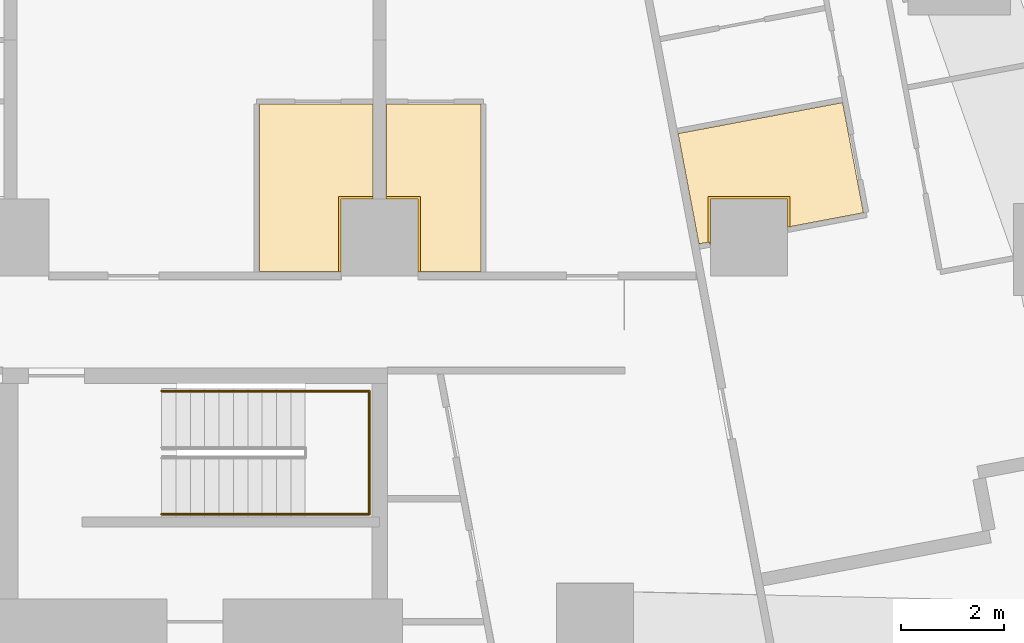
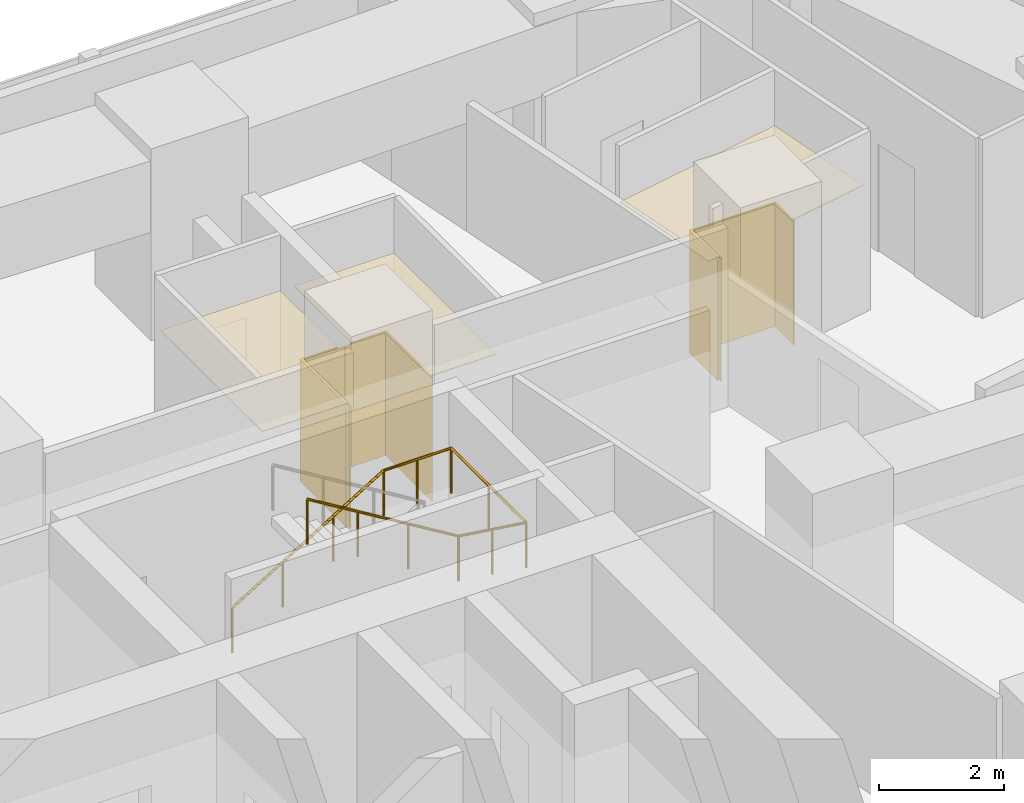
# One storey, part 15 of 15: 6 coverings, 1 railing.
"""IFC4 building model written with IfcOpenShell, lengths in metres."""

from ifc_helpers import new_model, si_unit, direction, frame, origin, origin_2d, place, context, subcontext, project, spatial, polyline, circle, outline, extrude, material, layer, layer_set, type_object, element, save


model = new_model("IFC4")

# Units and contexts
model_context = context("Model", 3, precision=1e-05, world=origin(), true_north=direction((0.0, 1.0)))
body_context = subcontext(model_context, "Body", "Model", "MODEL_VIEW")
ifc_project = project(units=[si_unit("LENGTHUNIT", "METRE"), si_unit("AREAUNIT", "SQUARE_METRE"), si_unit("VOLUMEUNIT", "CUBIC_METRE"), si_unit("PLANEANGLEUNIT", "RADIAN"), si_unit("MASSUNIT", "GRAM", prefix="KILO")], contexts=[model_context])

# Site, building, storey
site_placement = place(None, origin())
site = spatial("IfcSite", under=ifc_project, at=site_placement, CompositionType="ELEMENT")
building_placement = place(site_placement, origin())
building = spatial("IfcBuilding", under=site, at=building_placement, Name="Sheger Commons Tower", CompositionType="ELEMENT")
storey_placement = place(building_placement, frame((0.0, 0.0, 177.050048828125)))
storey = spatial("IfcBuildingStorey", under=building, at=storey_placement, Name="L45", CompositionType="ELEMENT", Elevation=177.050048828125)

# Railing
ifc_material_1 = material(Name="Steel handrail, black powder-coated", Category="steel")
railing_type = type_object("IfcRailingType", Name="HANDRAIL 900", PredefinedType="HANDRAIL", material=ifc_material_1)
railing_placement = place(storey_placement, frame((24.550048828125, 34.5, 0.17041015625)))
element("IfcRailing", 1, at=railing_placement, inside=storey, type_object=railing_type, Name="Stair S2 handrail L45", PredefinedType="HANDRAIL", context=body_context, shape_type="SweptSolid", body=[
    extrude(circle(Radius=0.02392578125, at=origin_2d()), frame((0.0, 0.0, 0.8759765625), z_axis=(0.854169791009, 0.0, 0.51999420009), x_axis=(0.0, 1.0, 0.0)), (0.0, 0.0, 1.0), 3.278076171875),
    extrude(circle(Radius=0.02392578125, at=origin_2d()), frame((2.800048828125, 0.0, 2.58056640625), z_axis=(1.0, 0.0, 0.0), x_axis=(0.0, 1.0, 0.0)), (0.0, 0.0, 1.0), 1.25),
    extrude(circle(Radius=0.02392578125, at=origin_2d()), frame((4.050048828125, 0.0, 2.58056640625), z_axis=(0.0, -1.0, 0.0), x_axis=(1.0, 0.0, 0.0)), (0.0, 0.0, 1.0), 2.39990234375),
    extrude(circle(Radius=0.02392578125, at=origin_2d()), frame((4.050048828125, -2.39990234375, 2.58056640625), z_axis=(-0.990834877927, 0.0, 0.135078661092), x_axis=(0.0, -1.0, 0.0)), (0.0, 0.0, 1.0), 1.261474609375),
    extrude(circle(Radius=0.02392578125, at=origin_2d()), frame((2.800048828125, -2.39990234375, 2.7509765625), z_axis=(-0.854169791009, 0.0, 0.51999420009), x_axis=(0.0, -1.0, 0.0)), (0.0, 0.0, 1.0), 3.278076171875),
    extrude(circle(Radius=0.02099609375, at=origin_2d()), origin(), (0.0, 0.0, 1.0), 0.851806640625),
    extrude(circle(Radius=0.02099609375, at=origin_2d()), frame((0.933349609375, 0.0, 0.568115234375)), (0.0, 0.0, 1.0), 0.851806640625),
    extrude(circle(Radius=0.02099609375, at=origin_2d()), frame((1.86669921875, 0.0, 1.136474609375)), (0.0, 0.0, 1.0), 0.851806640625),
    extrude(circle(Radius=0.02099609375, at=origin_2d()), frame((2.800048828125, 0.0, 1.70458984375)), (0.0, 0.0, 1.0), 0.851806640625),
    extrude(circle(Radius=0.02099609375, at=origin_2d()), frame((3.425048828125, 0.0, 1.70458984375)), (0.0, 0.0, 1.0), 0.851806640625),
    extrude(circle(Radius=0.02099609375, at=origin_2d()), frame((4.050048828125, 0.0, 1.70458984375)), (0.0, 0.0, 1.0), 0.851806640625),
    extrude(circle(Radius=0.02099609375, at=origin_2d()), frame((4.050048828125, -1.199951171875, 1.70458984375)), (0.0, 0.0, 1.0), 0.851806640625),
    extrude(circle(Radius=0.02099609375, at=origin_2d()), frame((4.050048828125, -2.39990234375, 1.70458984375)), (0.0, 0.0, 1.0), 0.851806640625),
    extrude(circle(Radius=0.02099609375, at=origin_2d()), frame((3.425048828125, -2.39990234375, 1.789794921875)), (0.0, 0.0, 1.0), 0.851806640625),
    extrude(circle(Radius=0.02099609375, at=origin_2d()), frame((2.800048828125, -2.39990234375, 1.875)), (0.0, 0.0, 1.0), 0.851806640625),
    extrude(circle(Radius=0.02099609375, at=origin_2d()), frame((1.86669921875, -2.39990234375, 2.443115234375)), (0.0, 0.0, 1.0), 0.851806640625),
    extrude(circle(Radius=0.02099609375, at=origin_2d()), frame((0.933349609375, -2.39990234375, 3.011474609375)), (0.0, 0.0, 1.0), 0.851806640625),
    extrude(circle(Radius=0.02099609375, at=origin_2d()), frame((0.0, -2.39990234375, 3.57958984375)), (0.0, 0.0, 1.0), 0.851806640625),
])

# Coverings
ifc_material_2 = material(Name="Moisture-resistant gypsum plasterboard 15 mm on a suspended galvanised steel grid", Category="steel")
ifc_layer_1 = layer(ifc_material_2, 0.014892578125)
ifc_layer_set_1 = layer_set([ifc_layer_1], Name="MOISTURE-RESISTANT CEILING 15")
covering_type_1 = type_object("IfcCoveringType", Name="MOISTURE-RESISTANT CEILING 15", PredefinedType="CEILING", material=ifc_layer_set_1)
covering_1_placement = place(storey_placement, frame((0.0, 0.0, 2.39990234375)))
element("IfcCovering", 2, at=covering_1_placement, inside=storey, type_object=covering_type_1, Name="L45-08.B1 ceiling", PredefinedType="CEILING", context=body_context, shape_type="SweptSolid", body=[
    extrude(outline(polyline([(35.242919921875, 37.367919921875), (35.2451171875, 37.367919921875), (35.2451171875, 38.2548828125), (36.7548828125, 38.2548828125), (36.7548828125, 37.698974609375), (38.23388671875, 37.97900390625), (37.827880859375, 40.126953125), (34.62109375, 39.52197265625), (35.027099609375, 37.3720703125), (35.235107421875, 37.410888671875), (35.242919921875, 37.367919921875)])), origin(), (0.0, 0.0, 1.0), 0.01513671875),
])
covering_2_placement = place(storey_placement, frame((0.0, 0.0, 2.39990234375)))
element("IfcCovering", 3, at=covering_2_placement, inside=storey, type_object=covering_type_1, Name="L45-14.B1 ceiling", PredefinedType="CEILING", context=body_context, shape_type="SweptSolid", body=[
    extrude(outline(polyline([(26.4541015625, 36.830078125), (28.044921875, 36.830078125), (28.044921875, 38.2548828125), (28.669921875, 38.2548828125), (28.669921875, 40.094970703125), (26.4541015625, 40.094970703125), (26.4541015625, 36.830078125)])), origin(), (0.0, 0.0, 1.0), 0.01513671875),
])
covering_3_placement = place(storey_placement, frame((0.0, 0.0, 2.39990234375)))
element("IfcCovering", 4, at=covering_3_placement, inside=storey, type_object=covering_type_1, Name="L45-15.B1 ceiling", PredefinedType="CEILING", context=body_context, shape_type="SweptSolid", body=[
    extrude(outline(polyline([(29.554931640625, 36.830078125), (30.77392578125, 36.830078125), (30.77392578125, 40.094970703125), (28.929931640625, 40.094970703125), (28.929931640625, 38.2548828125), (29.554931640625, 38.2548828125), (29.554931640625, 36.830078125)])), origin(), (0.0, 0.0, 1.0), 0.01513671875),
])
ifc_material_3 = material(Name="Moisture-resistant gypsum board 12.5 mm on 25 mm treated timber battens, tanked and tiled", Category="wood")
ifc_layer_2 = layer(ifc_material_3, 0.050048828125)
ifc_layer_set_2 = layer_set([ifc_layer_2], Name="WET-ROOM COLUMN LINING")
covering_type_2 = type_object("IfcCoveringType", Name="WET-ROOM COLUMN LINING", PredefinedType="CLADDING", material=ifc_layer_set_2)
covering_4_placement = place(storey_placement, origin())
element("IfcCovering", 5, at=covering_4_placement, inside=storey, type_object=covering_type_2, Name="Bathroom column lining C10 L45", PredefinedType="CLADDING", context=body_context, shape_type="SweptSolid", body=[
    extrude(outline(polyline([(28.675048828125, 38.300048828125), (28.675048828125, 38.2509765625), (28.800048828125, 38.2509765625), (28.800048828125, 38.25), (28.050048828125, 38.25), (28.050048828125, 36.75), (28.049072265625, 36.75), (28.049072265625, 36.824951171875), (28.0, 36.824951171875), (28.0, 38.300048828125), (28.675048828125, 38.300048828125)])), origin(), (0.0, 0.0, 1.0), 2.39990234375),
])
covering_5_placement = place(storey_placement, origin())
element("IfcCovering", 6, at=covering_5_placement, inside=storey, type_object=covering_type_2, Name="Shower room column lining C10 L45", PredefinedType="CLADDING", context=body_context, shape_type="SweptSolid", body=[
    extrude(outline(polyline([(29.60009765625, 36.824951171875), (29.551025390625, 36.824951171875), (29.551025390625, 36.75), (29.550048828125, 36.75), (29.550048828125, 38.25), (28.800048828125, 38.25), (28.800048828125, 38.2509765625), (28.925048828125, 38.2509765625), (28.925048828125, 38.300048828125), (29.60009765625, 38.300048828125), (29.60009765625, 36.824951171875)])), origin(), (0.0, 0.0, 1.0), 2.39990234375),
])
covering_6_placement = place(storey_placement, origin())
element("IfcCovering", 7, at=covering_6_placement, inside=storey, type_object=covering_type_2, Name="Bathroom column lining C10 L45", PredefinedType="CLADDING", context=body_context, shape_type="SweptSolid", body=[
    extrude(outline(polyline([(36.800048828125, 38.300048828125), (36.800048828125, 37.701904296875), (36.7509765625, 37.693115234375), (36.760009765625, 37.64404296875), (36.75, 37.64208984375), (36.75, 38.25), (35.25, 38.25), (35.25, 37.35791015625), (35.239990234375, 37.35595703125), (35.23095703125, 37.405029296875), (35.199951171875, 37.39892578125), (35.199951171875, 38.300048828125), (36.800048828125, 38.300048828125)])), origin(), (0.0, 0.0, 1.0), 2.39990234375),
])

save(model, "model.ifc")
